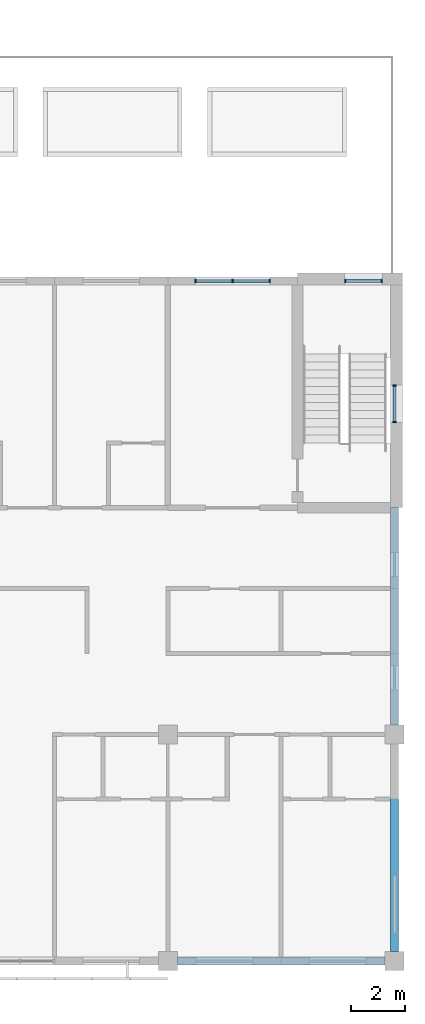
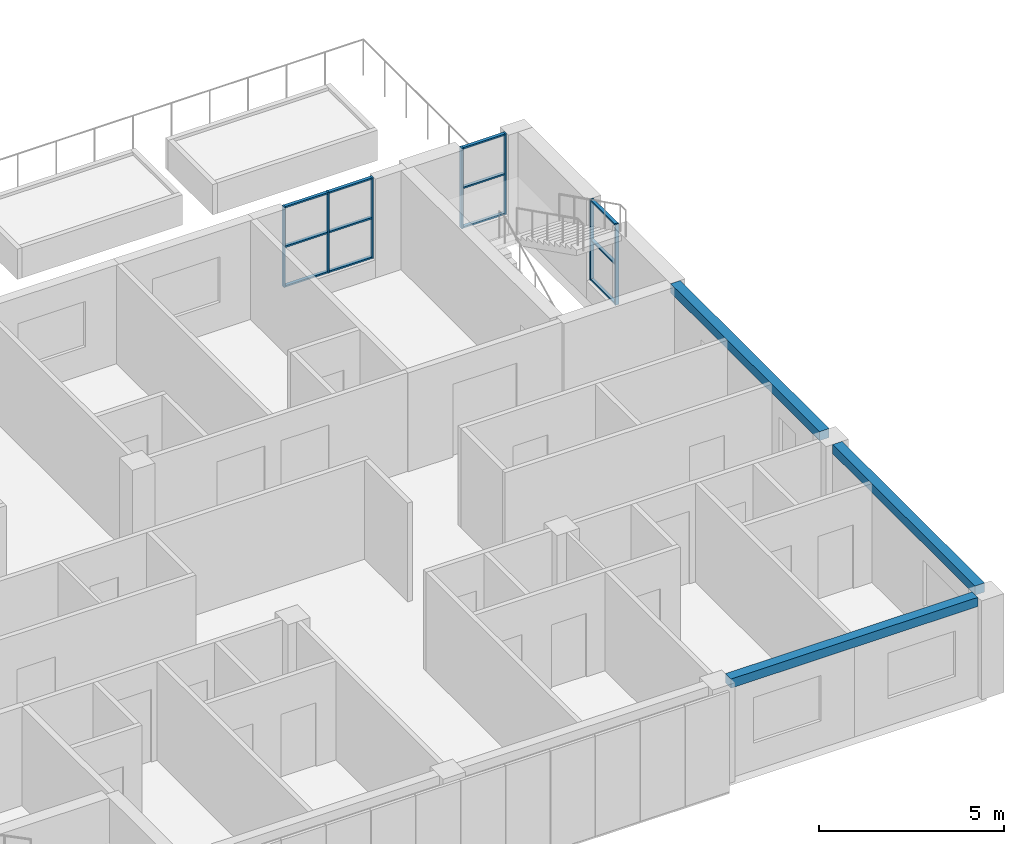
# One storey, part 21 of 61: 19 members, 3 beams, 3 elements without a shape of their own.
"""IFC4 building model written with IfcOpenShell, lengths in metres."""

from ifc_helpers import new_model, si_unit, direction, frame, origin, origin_2d, place, context, subcontext, project, spatial, rectangle, extrude, material, material_profile, profile_set, type_object, element, aggregate, save


model = new_model("IFC4")

# Units and contexts
model_context = context("Model", 3, precision=1e-05, world=origin(), true_north=direction((0.0, 1.0)))
body_context = subcontext(model_context, "Body", "Model", "MODEL_VIEW")
ifc_project = project(units=[si_unit("LENGTHUNIT", "METRE"), si_unit("AREAUNIT", "SQUARE_METRE"), si_unit("VOLUMEUNIT", "CUBIC_METRE"), si_unit("PLANEANGLEUNIT", "RADIAN"), si_unit("MASSUNIT", "GRAM", prefix="KILO")], contexts=[model_context])

# Site, building, storey
site_placement = place(None, origin())
site = spatial("IfcSite", under=ifc_project, at=site_placement, CompositionType="ELEMENT")
building_placement = place(site_placement, origin())
building = spatial("IfcBuilding", under=site, at=building_placement, Name="Yavir Park General Hospital", CompositionType="ELEMENT")
storey_placement = place(building_placement, frame((0.0, 0.0, 15.300048828125)))
storey = spatial("IfcBuildingStorey", under=building, at=storey_placement, Name="L03", CompositionType="ELEMENT", Elevation=15.300048828125)

# Beams
ifc_material_1 = material(Name="Concrete C35/45", Category="concrete")
ifc_material_profile_1 = material_profile(ifc_material_1, rectangle(XDim=0.300048828125, YDim=0.300048828125, at=origin_2d()), Name="RC300x300")
ifc_profile_set_1 = profile_set([ifc_material_profile_1], Name="Concrete C35/45")
beam_type = type_object("IfcBeamType", Name="RC BEAM 300x300 edge beam", PredefinedType="BEAM", material=ifc_profile_set_1)
for number, where, z_axis, x_axis, name in (
    (1, (159.949951171875, 0.0, 3.10986328125), (1.0, 0.0, 0.0), (0.0, 1.0, 0.0), "B:EDGE:L03:010"),
    (2, (168.0, 0.35009765625, 3.10986328125), (0.0, 1.0, 0.0), (-1.0, 0.0, 0.0), "B:EDGE:L03:035"),
):
    element("IfcBeam", number, at=place(storey_placement, frame(where, z_axis=z_axis, x_axis=x_axis)), inside=storey, type_object=beam_type, Name=name, PredefinedType="BEAM", context=body_context, shape_type="SweptSolid", body=[
        extrude(rectangle(XDim=0.300048828125, YDim=0.300048828125, at=origin_2d()), origin(), (0.0, 0.0, 1.0), 7.699951171875),
    ])
beam_placement = place(storey_placement, frame((168.0, 8.75, 3.10986328125), z_axis=(0.0, 1.0, 0.0), x_axis=(-1.0, 0.0, 0.0)))
element("IfcBeam", 3, at=beam_placement, inside=storey, type_object=beam_type, Name="B:EDGE:L03:036", PredefinedType="BEAM", context=body_context, shape_type="SweptSolid", body=[
    extrude(rectangle(XDim=0.300048828125, YDim=0.300048828125, at=origin_2d()), origin(), (0.0, 0.0, 1.0), 8.050048828125),
])

# Curtain wall, members
ifc_material_2 = material(Name="Aluminium curtain wall frame with insulated glazing", Category="aluminium")
curtain_wall_type_1 = type_object("IfcCurtainWallType", Name="Stair light slot, ward floors, 2660 high, 1400 module", PredefinedType="NOTDEFINED", material=ifc_material_2)
curtain_wall_1_placement = place(storey_placement, origin())
curtain_wall_1 = element("IfcCurtainWall", 4, at=curtain_wall_1_placement, inside=storey, type_object=curtain_wall_type_1, Name="CW10 L03-012", PredefinedType="NOTDEFINED")
ifc_material_3 = material(Name="Aluminium", Category="aluminium")
ifc_material_profile_2 = material_profile(ifc_material_3, rectangle(XDim=0.1201171875, YDim=0.050048828125, at=origin_2d()), Name="AL 50x120")
ifc_profile_set_2 = profile_set([ifc_material_profile_2], Name="Aluminium")
member_type_1 = type_object("IfcMemberType", Name="Stair light slot, ward floors, 2660 high mullion 50 x 120", PredefinedType="MULLION", material=ifc_profile_set_2)
member_1_placement = place(storey_placement, frame((166.175048828125, 25.199951171875, 0.599853515625), z_axis=(0.0, 0.0, 1.0), x_axis=(0.0, 1.0, 0.0)))
member_1 = element("IfcMember", 5, at=member_1_placement, type_object=member_type_1, Name="CW10 mullion 1", PredefinedType="MULLION", context=body_context, shape_type="SweptSolid", body=[
    extrude(rectangle(XDim=0.1201171875, YDim=0.050048828125, at=origin_2d()), origin(), (0.0, 0.0, 1.0), 2.66015625),
])
member_2_placement = place(storey_placement, frame((167.52490234375, 25.199951171875, 0.599853515625), z_axis=(0.0, 0.0, 1.0), x_axis=(0.0, 1.0, 0.0)))
member_2 = element("IfcMember", 6, at=member_2_placement, type_object=member_type_1, Name="CW10 mullion 2", PredefinedType="MULLION", context=body_context, shape_type="SweptSolid", body=[
    extrude(rectangle(XDim=0.1201171875, YDim=0.050048828125, at=origin_2d()), origin(), (0.0, 0.0, 1.0), 2.66015625),
])

curtain_wall_2_placement = place(storey_placement, origin())
curtain_wall_2 = element("IfcCurtainWall", 7, at=curtain_wall_2_placement, inside=storey, type_object=curtain_wall_type_1, Name="CW10 L03-029", PredefinedType="NOTDEFINED")
member_3_placement = place(storey_placement, frame((168.0, 19.97509765625, 0.599853515625), z_axis=(0.0, 0.0, 1.0), x_axis=(-1.0, 0.0, 0.0)))
member_3 = element("IfcMember", 8, at=member_3_placement, type_object=member_type_1, Name="CW10 mullion 1", PredefinedType="MULLION", context=body_context, shape_type="SweptSolid", body=[
    extrude(rectangle(XDim=0.1201171875, YDim=0.050048828125, at=origin_2d()), origin(), (0.0, 0.0, 1.0), 2.66015625),
])
member_4_placement = place(storey_placement, frame((168.0, 21.324951171875, 0.599853515625), z_axis=(0.0, 0.0, 1.0), x_axis=(-1.0, 0.0, 0.0)))
member_4 = element("IfcMember", 9, at=member_4_placement, type_object=member_type_1, Name="CW10 mullion 2", PredefinedType="MULLION", context=body_context, shape_type="SweptSolid", body=[
    extrude(rectangle(XDim=0.1201171875, YDim=0.050048828125, at=origin_2d()), origin(), (0.0, 0.0, 1.0), 2.66015625),
])

# Member
ifc_material_4 = material(Name="Aluminium", Category="aluminium")
ifc_material_profile_3 = material_profile(ifc_material_4, rectangle(XDim=0.10009765625, YDim=0.050048828125, at=origin_2d()), Name="AL 100x50")
ifc_profile_set_3 = profile_set([ifc_material_profile_3], Name="Aluminium")
member_type_2 = type_object("IfcMemberType", Name="Stair light slot, ward floors, 2660 high transom 50 x 100", PredefinedType="MULLION", material=ifc_profile_set_3)
member_5_placement = place(storey_placement, frame((166.199951171875, 25.199951171875, 0.625), z_axis=(1.0, 0.0, 0.0), x_axis=(0.0, 1.0, 0.0)))
member_5 = element("IfcMember", 10, at=member_5_placement, type_object=member_type_2, Name="CW10 transom 1.1", PredefinedType="MULLION", context=body_context, shape_type="SweptSolid", body=[
    extrude(rectangle(XDim=0.10009765625, YDim=0.050048828125, at=origin_2d()), origin(), (0.0, 0.0, 1.0), 1.300048828125),
])

member_6_placement = place(storey_placement, frame((166.199951171875, 25.199951171875, 1.929931640625), z_axis=(1.0, 0.0, 0.0), x_axis=(0.0, 1.0, 0.0)))
member_6 = element("IfcMember", 11, at=member_6_placement, type_object=member_type_2, Name="CW10 transom 1.2", PredefinedType="MULLION", context=body_context, shape_type="SweptSolid", body=[
    extrude(rectangle(XDim=0.10009765625, YDim=0.050048828125, at=origin_2d()), origin(), (0.0, 0.0, 1.0), 1.300048828125),
])

member_7_placement = place(storey_placement, frame((166.199951171875, 25.199951171875, 3.23486328125), z_axis=(1.0, 0.0, 0.0), x_axis=(0.0, 1.0, 0.0)))
member_7 = element("IfcMember", 12, at=member_7_placement, type_object=member_type_2, Name="CW10 transom 1.3", PredefinedType="MULLION", context=body_context, shape_type="SweptSolid", body=[
    extrude(rectangle(XDim=0.10009765625, YDim=0.050048828125, at=origin_2d()), origin(), (0.0, 0.0, 1.0), 1.300048828125),
])

aggregate(curtain_wall_1, [member_1, member_2, member_5, member_6, member_7])

member_8_placement = place(storey_placement, frame((168.0, 20.0, 0.625), z_axis=(0.0, 1.0, 0.0), x_axis=(-1.0, 0.0, 0.0)))
member_8 = element("IfcMember", 13, at=member_8_placement, type_object=member_type_2, Name="CW10 transom 1.1", PredefinedType="MULLION", context=body_context, shape_type="SweptSolid", body=[
    extrude(rectangle(XDim=0.10009765625, YDim=0.050048828125, at=origin_2d()), origin(), (0.0, 0.0, 1.0), 1.300048828125),
])

member_9_placement = place(storey_placement, frame((168.0, 20.0, 1.929931640625), z_axis=(0.0, 1.0, 0.0), x_axis=(-1.0, 0.0, 0.0)))
member_9 = element("IfcMember", 14, at=member_9_placement, type_object=member_type_2, Name="CW10 transom 1.2", PredefinedType="MULLION", context=body_context, shape_type="SweptSolid", body=[
    extrude(rectangle(XDim=0.10009765625, YDim=0.050048828125, at=origin_2d()), origin(), (0.0, 0.0, 1.0), 1.300048828125),
])

member_10_placement = place(storey_placement, frame((168.0, 20.0, 3.23486328125), z_axis=(0.0, 1.0, 0.0), x_axis=(-1.0, 0.0, 0.0)))
member_10 = element("IfcMember", 15, at=member_10_placement, type_object=member_type_2, Name="CW10 transom 1.3", PredefinedType="MULLION", context=body_context, shape_type="SweptSolid", body=[
    extrude(rectangle(XDim=0.10009765625, YDim=0.050048828125, at=origin_2d()), origin(), (0.0, 0.0, 1.0), 1.300048828125),
])

aggregate(curtain_wall_2, [member_3, member_4, member_8, member_9, member_10])

# Curtain wall, members
ifc_material_5 = material(Name="Aluminium curtain wall frame with insulated glazing", Category="aluminium")
curtain_wall_type_2 = type_object("IfcCurtainWallType", Name="Ward corridor end glazing, 2660 high, 1400 module", PredefinedType="NOTDEFINED", material=ifc_material_5)
curtain_wall_3_placement = place(storey_placement, origin())
curtain_wall_3 = element("IfcCurtainWall", 16, at=curtain_wall_3_placement, inside=storey, type_object=curtain_wall_type_2, Name="CW15 L03-011", PredefinedType="NOTDEFINED")
ifc_material_6 = material(Name="Aluminium", Category="aluminium")
ifc_material_profile_4 = material_profile(ifc_material_6, rectangle(XDim=0.1201171875, YDim=0.050048828125, at=origin_2d()), Name="AL 50x120")
ifc_profile_set_4 = profile_set([ifc_material_profile_4], Name="Aluminium")
member_type_3 = type_object("IfcMemberType", Name="Ward corridor end glazing, 2660 high mullion 50 x 120", PredefinedType="MULLION", material=ifc_profile_set_4)
member_11_placement = place(storey_placement, frame((160.625, 25.199951171875, 0.599853515625), z_axis=(0.0, 0.0, 1.0), x_axis=(0.0, 1.0, 0.0)))
member_11 = element("IfcMember", 17, at=member_11_placement, type_object=member_type_3, Name="CW15 mullion 1", PredefinedType="MULLION", context=body_context, shape_type="SweptSolid", body=[
    extrude(rectangle(XDim=0.1201171875, YDim=0.050048828125, at=origin_2d()), origin(), (0.0, 0.0, 1.0), 2.66015625),
])
member_12_placement = place(storey_placement, frame((162.0, 25.199951171875, 0.599853515625), z_axis=(0.0, 0.0, 1.0), x_axis=(0.0, 1.0, 0.0)))
member_12 = element("IfcMember", 18, at=member_12_placement, type_object=member_type_3, Name="CW15 mullion 2", PredefinedType="MULLION", context=body_context, shape_type="SweptSolid", body=[
    extrude(rectangle(XDim=0.1201171875, YDim=0.050048828125, at=origin_2d()), origin(), (0.0, 0.0, 1.0), 2.66015625),
])
member_13_placement = place(storey_placement, frame((163.375, 25.199951171875, 0.599853515625), z_axis=(0.0, 0.0, 1.0), x_axis=(0.0, 1.0, 0.0)))
member_13 = element("IfcMember", 19, at=member_13_placement, type_object=member_type_3, Name="CW15 mullion 3", PredefinedType="MULLION", context=body_context, shape_type="SweptSolid", body=[
    extrude(rectangle(XDim=0.1201171875, YDim=0.050048828125, at=origin_2d()), origin(), (0.0, 0.0, 1.0), 2.66015625),
])
ifc_material_7 = material(Name="Aluminium", Category="aluminium")
ifc_material_profile_5 = material_profile(ifc_material_7, rectangle(XDim=0.10009765625, YDim=0.050048828125, at=origin_2d()), Name="AL 100x50")
ifc_profile_set_5 = profile_set([ifc_material_profile_5], Name="Aluminium")
member_type_4 = type_object("IfcMemberType", Name="Ward corridor end glazing, 2660 high transom 50 x 100", PredefinedType="MULLION", material=ifc_profile_set_5)
member_14_placement = place(storey_placement, frame((160.64990234375, 25.199951171875, 0.625), z_axis=(1.0, 0.0, 0.0), x_axis=(0.0, 1.0, 0.0)))
member_14 = element("IfcMember", 20, at=member_14_placement, type_object=member_type_4, Name="CW15 transom 1.1", PredefinedType="MULLION", context=body_context, shape_type="SweptSolid", body=[
    extrude(rectangle(XDim=0.10009765625, YDim=0.050048828125, at=origin_2d()), origin(), (0.0, 0.0, 1.0), 1.3251953125),
])
member_15_placement = place(storey_placement, frame((160.64990234375, 25.199951171875, 1.929931640625), z_axis=(1.0, 0.0, 0.0), x_axis=(0.0, 1.0, 0.0)))
member_15 = element("IfcMember", 21, at=member_15_placement, type_object=member_type_4, Name="CW15 transom 1.2", PredefinedType="MULLION", context=body_context, shape_type="SweptSolid", body=[
    extrude(rectangle(XDim=0.10009765625, YDim=0.050048828125, at=origin_2d()), origin(), (0.0, 0.0, 1.0), 1.3251953125),
])
member_16_placement = place(storey_placement, frame((160.64990234375, 25.199951171875, 3.23486328125), z_axis=(1.0, 0.0, 0.0), x_axis=(0.0, 1.0, 0.0)))
member_16 = element("IfcMember", 22, at=member_16_placement, type_object=member_type_4, Name="CW15 transom 1.3", PredefinedType="MULLION", context=body_context, shape_type="SweptSolid", body=[
    extrude(rectangle(XDim=0.10009765625, YDim=0.050048828125, at=origin_2d()), origin(), (0.0, 0.0, 1.0), 1.3251953125),
])
member_17_placement = place(storey_placement, frame((162.02490234375, 25.199951171875, 0.625), z_axis=(1.0, 0.0, 0.0), x_axis=(0.0, 1.0, 0.0)))
member_17 = element("IfcMember", 23, at=member_17_placement, type_object=member_type_4, Name="CW15 transom 2.1", PredefinedType="MULLION", context=body_context, shape_type="SweptSolid", body=[
    extrude(rectangle(XDim=0.10009765625, YDim=0.050048828125, at=origin_2d()), origin(), (0.0, 0.0, 1.0), 1.3251953125),
])
member_18_placement = place(storey_placement, frame((162.02490234375, 25.199951171875, 1.929931640625), z_axis=(1.0, 0.0, 0.0), x_axis=(0.0, 1.0, 0.0)))
member_18 = element("IfcMember", 24, at=member_18_placement, type_object=member_type_4, Name="CW15 transom 2.2", PredefinedType="MULLION", context=body_context, shape_type="SweptSolid", body=[
    extrude(rectangle(XDim=0.10009765625, YDim=0.050048828125, at=origin_2d()), origin(), (0.0, 0.0, 1.0), 1.3251953125),
])
member_19_placement = place(storey_placement, frame((162.02490234375, 25.199951171875, 3.23486328125), z_axis=(1.0, 0.0, 0.0), x_axis=(0.0, 1.0, 0.0)))
member_19 = element("IfcMember", 25, at=member_19_placement, type_object=member_type_4, Name="CW15 transom 2.3", PredefinedType="MULLION", context=body_context, shape_type="SweptSolid", body=[
    extrude(rectangle(XDim=0.10009765625, YDim=0.050048828125, at=origin_2d()), origin(), (0.0, 0.0, 1.0), 1.3251953125),
])
aggregate(curtain_wall_3, [member_11, member_12, member_13, member_14, member_15, member_16, member_17, member_18, member_19])

save(model, "model.ifc")
